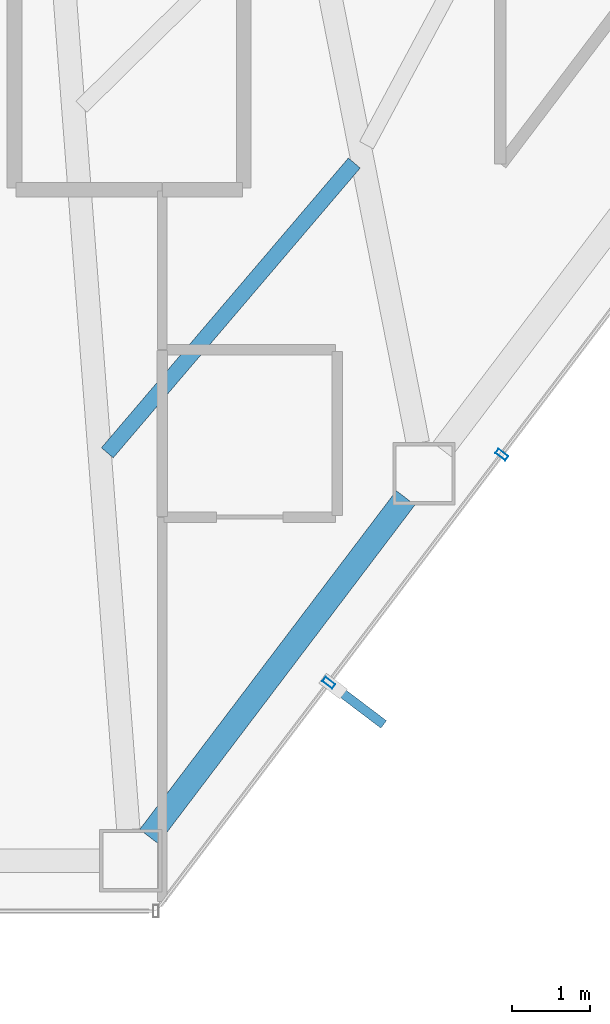
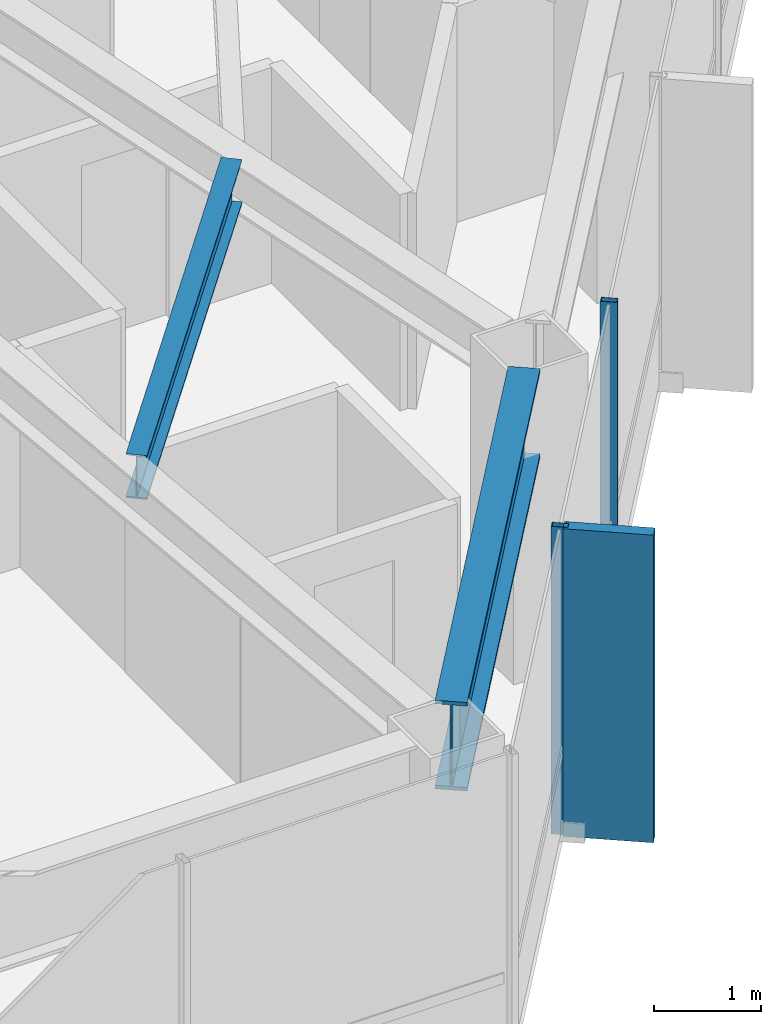
# One storey, part 16 of 28: 3 members, 2 beams, 1 element without a shape of its own.
"""IFC4 building model written with IfcOpenShell, lengths in metres."""

from ifc_helpers import new_model, si_unit, direction, frame, origin, origin_2d, place, context, subcontext, project, spatial, rectangle, hollow_rectangle, i_section, extrude, material, layer, layer_set, material_profile, profile_set, type_object, element, aggregate, save


model = new_model("IFC4")

# Units and contexts
model_context = context("Model", 3, precision=1e-05, world=origin(), true_north=direction((0.0, 1.0)))
body_context = subcontext(model_context, "Body", "Model", "MODEL_VIEW")
ifc_project = project(units=[si_unit("LENGTHUNIT", "METRE"), si_unit("AREAUNIT", "SQUARE_METRE"), si_unit("VOLUMEUNIT", "CUBIC_METRE"), si_unit("PLANEANGLEUNIT", "RADIAN"), si_unit("MASSUNIT", "GRAM", prefix="KILO")], contexts=[model_context])

# Site, building, storey
site_placement = place(None, origin())
site = spatial("IfcSite", under=ifc_project, at=site_placement, CompositionType="ELEMENT")
building_placement = place(site_placement, origin())
building = spatial("IfcBuilding", under=site, at=building_placement, Name="Zarrinselat Tower", CompositionType="ELEMENT")
storey_placement = place(building_placement, frame((0.0, 0.0, 123.419921875)))
storey = spatial("IfcBuildingStorey", under=building, at=storey_placement, Name="L29", CompositionType="ELEMENT", Elevation=123.419921875)

# Beams
ifc_material_1 = material(Name="Steel S460M", Category="steel")
ifc_material_profile_1 = material_profile(ifc_material_1, i_section(OverallWidth=0.302001953125, OverallDepth=1.008056640625, WebThickness=0.02099609375, FlangeThickness=0.0400390625, at=origin_2d()), Name="HEM 1000")
ifc_profile_set_1 = profile_set([ifc_material_profile_1], Name="Steel S460M")
beam_type_1 = type_object("IfcBeamType", Name="BM-HEM1000", PredefinedType="BEAM", material=ifc_profile_set_1)
beam_1_placement = place(storey_placement, frame((47.129150390625, 19.025634765625, 2.99609375), z_axis=(0.603856828579, 0.797092799226, 0.0), x_axis=(-0.797092799226, 0.603856828579, 0.0)))
element("IfcBeam", 1, at=beam_1_placement, inside=storey, type_object=beam_type_1, Name="L29 Perimeter Spandrel Girder SP11", PredefinedType="BEAM", context=body_context, shape_type="SweptSolid", body=[
    extrude(i_section(OverallWidth=0.302001953125, OverallDepth=1.008056640625, WebThickness=0.02099609375, FlangeThickness=0.0400390625, at=origin_2d()), origin(), (0.0, 0.0, 1.0), 5.469482421875),
])
ifc_material_2 = material(Name="Steel S355J2", Category="steel")
ifc_material_profile_2 = material_profile(ifc_material_2, i_section(OverallWidth=0.199951171875, OverallDepth=0.5, WebThickness=0.01025390625, FlangeThickness=0.01611328125, at=origin_2d()), Name="IPE 500")
ifc_profile_set_2 = profile_set([ifc_material_profile_2], Name="Steel S355J2")
beam_type_2 = type_object("IfcBeamType", Name="BM-IPE500", PredefinedType="JOIST", material=ifc_profile_set_2)
beam_2_placement = place(storey_placement, frame((46.59326171875, 23.964111328125, 3.25), z_axis=(0.648679287619, 0.761061877783, 0.0), x_axis=(-0.761061877783, 0.648679287619, 0.0)))
element("IfcBeam", 2, at=beam_2_placement, inside=storey, type_object=beam_type_2, Name="L29 Composite Floor Joist 3-1", PredefinedType="JOIST", context=body_context, shape_type="SweptSolid", body=[
    extrude(i_section(OverallWidth=0.199951171875, OverallDepth=0.5, WebThickness=0.01025390625, FlangeThickness=0.01611328125, at=origin_2d()), origin(), (0.0, 0.0, 1.0), 4.898681640625),
])

# Curtain wall, members
ifc_material_3 = material(Name="Extruded Aluminium Alloy EN AW-6063 T6", Category="aluminium")
ifc_layer = layer(ifc_material_3, 0.175048828125)
ifc_layer_set = layer_set([ifc_layer], Name="Extruded Aluminium Alloy EN AW-6063 T6")
curtain_wall_type = type_object("IfcCurtainWallType", Name="CWS-HTL", PredefinedType="NOTDEFINED", material=ifc_layer_set)
curtain_wall_placement = place(storey_placement, origin())
curtain_wall = element("IfcCurtainWall", 3, at=curtain_wall_placement, inside=storey, type_object=curtain_wall_type, Name="L29 Unitised Curtain Wall CW-L29-E05", PredefinedType="NOTDEFINED")
ifc_material_4 = material(Name="Extruded Aluminium Alloy EN AW-6063 T6", Category="aluminium")
ifc_material_profile_3 = material_profile(ifc_material_4, hollow_rectangle(XDim=0.070068359375, YDim=0.159912109375, WallThickness=0.00390625, at=origin_2d()), Name="RHS 160x70x4")
ifc_profile_set_3 = profile_set([ifc_material_profile_3], Name="Extruded Aluminium Alloy EN AW-6063 T6")
member_type_1 = type_object("IfcMemberType", Name="MEM-CW-MUL2", PredefinedType="MULLION", material=ifc_profile_set_3)
member_1_placement = place(storey_placement, frame((49.443359375, 21.00390625, 0.0), z_axis=(0.0, 0.0, 1.0), x_axis=(0.603858135777, 0.797091808926, 0.0)))
member_1 = element("IfcMember", 4, at=member_1_placement, type_object=member_type_1, Name="CW-L29-E05 Mullion 1", PredefinedType="MULLION", context=body_context, shape_type="SweptSolid", body=[
    extrude(hollow_rectangle(XDim=0.070068359375, YDim=0.159912109375, WallThickness=0.00390625, at=origin_2d()), origin(), (0.0, 0.0, 1.0), 3.5),
])
member_2_placement = place(storey_placement, frame((51.668701171875, 23.94140625, 0.0), z_axis=(0.0, 0.0, 1.0), x_axis=(0.603858135777, 0.797091808926, 0.0)))
member_2 = element("IfcMember", 5, at=member_2_placement, type_object=member_type_1, Name="CW-L29-E05 Mullion 2", PredefinedType="MULLION", context=body_context, shape_type="SweptSolid", body=[
    extrude(hollow_rectangle(XDim=0.070068359375, YDim=0.159912109375, WallThickness=0.00390625, at=origin_2d()), origin(), (0.0, 0.0, 1.0), 3.5),
])
ifc_material_5 = material(Name="Honed Cream Travertine Stone", Category="masonry")
ifc_material_profile_4 = material_profile(ifc_material_5, rectangle(XDim=0.1201171875, YDim=0.85009765625, at=origin_2d()), Name="FIN 850x120")
ifc_profile_set_4 = profile_set([ifc_material_profile_4], Name="Honed Cream Travertine Stone")
member_type_2 = type_object("IfcMemberType", Name="MEM-STONE-FIN", PredefinedType="USERDEFINED", material=ifc_profile_set_4)
member_3_placement = place(storey_placement, frame((49.81005859375, 20.72607421875, 0.0), z_axis=(0.0, 0.0, 1.0), x_axis=(-0.603858135777, -0.797091808926, 0.0)))
member_3 = element("IfcMember", 6, at=member_3_placement, type_object=member_type_2, Name="L29 Stone Shading Fin CW-L29-E05-01", ObjectType="FIN", PredefinedType="USERDEFINED", context=body_context, shape_type="SweptSolid", body=[
    extrude(rectangle(XDim=0.1201171875, YDim=0.85009765625, at=origin_2d()), origin(), (0.0, 0.0, 1.0), 3.5),
])
aggregate(curtain_wall, [member_1, member_3, member_2])

save(model, "model.ifc")
